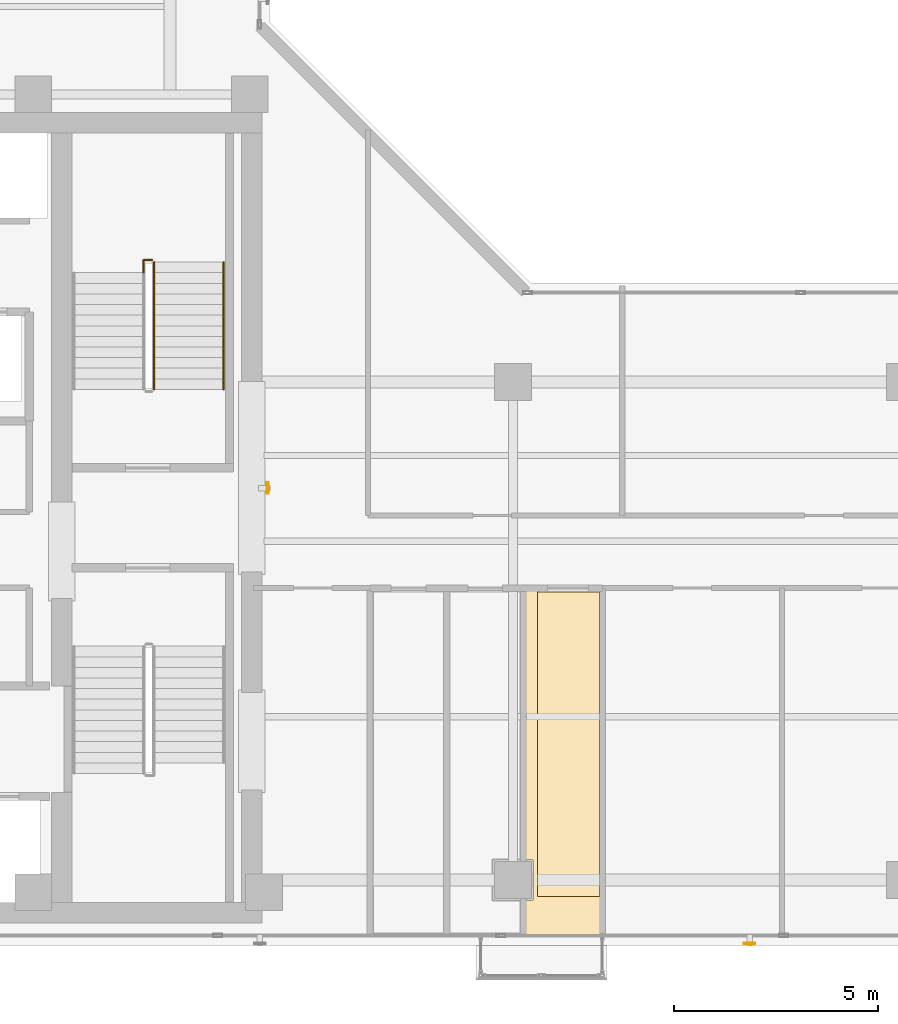
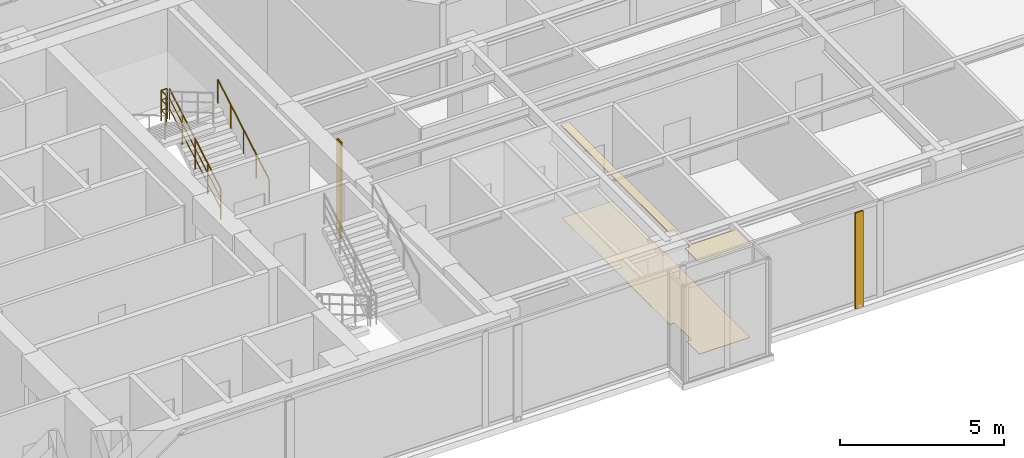
# One storey, part 21 of 22: 3 railings, 2 coverings, 2 shading devices.
"""IFC4 building model written with IfcOpenShell, lengths in metres."""

from ifc_helpers import new_model, si_unit, direction, frame, origin, origin_2d, place, context, subcontext, project, spatial, polyline, hollow_rectangle, circle, outline, extrude, material, layer, layer_set, material_profile, profile_set, type_object, element, save


model = new_model("IFC4")

# Units and contexts
model_context = context("Model", 3, precision=1e-05, world=origin(), true_north=direction((0.0, 1.0)))
body_context = subcontext(model_context, "Body", "Model", "MODEL_VIEW")
ifc_project = project(units=[si_unit("LENGTHUNIT", "METRE"), si_unit("AREAUNIT", "SQUARE_METRE"), si_unit("VOLUMEUNIT", "CUBIC_METRE"), si_unit("PLANEANGLEUNIT", "RADIAN"), si_unit("MASSUNIT", "GRAM", prefix="KILO")], contexts=[model_context])

# Site, building, storey
site_placement = place(None, origin())
site = spatial("IfcSite", under=ifc_project, at=site_placement, CompositionType="ELEMENT")
building_placement = place(site_placement, origin())
building = spatial("IfcBuilding", under=site, at=building_placement, Name="Kolvaren Waterfront Exchange", CompositionType="ELEMENT")
storey_placement = place(building_placement, frame((0.0, 0.0, 323.60009765625)))
storey = spatial("IfcBuildingStorey", under=building, at=storey_placement, Name="L83", CompositionType="ELEMENT", Elevation=323.60009765625)

# Covering
ifc_material_1 = material(Name="Mineral fibre acoustic ceiling tile")
ifc_layer_1 = layer(ifc_material_1, 0.02490234375, Name="Mineral fibre acoustic ceiling tile")
ifc_layer_set_1 = layer_set([ifc_layer_1], Name="Mineral fibre acoustic ceiling tile")
covering_type_1 = type_object("IfcCoveringType", Name="ARC-CEIL-ACOUSTIC-25", PredefinedType="CEILING", material=ifc_layer_set_1)
covering_1_placement = place(storey_placement, frame((0.0, 0.0, 3.44482421875)))
element("IfcCovering", 1, at=covering_1_placement, inside=storey, type_object=covering_type_1, Name="L83 acoustic suspended ceiling 3", PredefinedType="CEILING", context=body_context, shape_type="SweptSolid", body=[
    extrude(outline(polyline([(27.5048828125, 5.68994140625), (27.68994140625, 5.68994140625), (27.68994140625, 4.7099609375), (27.5048828125, 4.7099609375), (27.5048828125, 3.864990234375), (29.35498046875, 3.864990234375), (29.35498046875, 4.800048828125), (27.800048828125, 4.800048828125), (27.800048828125, 12.294921875), (27.5048828125, 12.294921875), (27.5048828125, 5.68994140625)])), origin(), (0.0, 0.0, 1.0), 0.025146484375),
])

# Shading devices
ifc_material_2 = material(Name="Anodised bronze aluminium 6063-T6", Category="aluminium")
ifc_material_profile = material_profile(ifc_material_2, hollow_rectangle(XDim=0.054931640625, YDim=0.280029296875, WallThickness=0.00439453125, at=origin_2d()), Name="BRZ-FIN-280x55x4.5")
ifc_profile_set = profile_set([ifc_material_profile], Name="Anodised bronze aluminium 6063-T6")
shading_device_type = type_object("IfcShadingDeviceType", Name="ARC-FIN-280", PredefinedType="USERDEFINED", material=ifc_profile_set)
for number, where, z_axis, x_axis, name in (
    (2, (33.0, 3.639892578125, 0.0), (0.0, 0.0, 1.0), (0.0, -1.0, 0.0), "L83 anodised bronze solar shading fin FIN-L83-S3"),
    (3, (21.191650390625, 14.800048828125, 0.0), (0.0, 0.0, 1.0), (1.0, 0.0, 0.0), "L83 anodised bronze solar shading fin FIN-L83-E1"),
):
    element("IfcShadingDevice", number, at=place(storey_placement, frame(where, z_axis=z_axis, x_axis=x_axis)), inside=storey, type_object=shading_device_type, Name=name, ObjectType="SOLAR FIN", PredefinedType="USERDEFINED", context=body_context, shape_type="SweptSolid", body=[
        extrude(hollow_rectangle(XDim=0.054931640625, YDim=0.280029296875, WallThickness=0.00439453125, at=origin_2d()), origin(), (0.0, 0.0, 1.0), 3.559814453125),
    ])

# Covering
ifc_material_3 = material(Name="Slip-resistant porcelain tile")
ifc_layer_2 = layer(ifc_material_3, 0.014892578125, Name="Slip-resistant porcelain tile")
ifc_layer_set_2 = layer_set([ifc_layer_2], Name="Slip-resistant porcelain tile")
covering_type_2 = type_object("IfcCoveringType", Name="ARC-FLR-PORC-15", PredefinedType="FLOORING", material=ifc_layer_set_2)
covering_2_placement = place(storey_placement, origin())
element("IfcCovering", 4, at=covering_2_placement, inside=storey, type_object=covering_type_2, Name="L83 floor finish 3", PredefinedType="FLOORING", context=body_context, shape_type="SweptSolid", body=[
    extrude(outline(polyline([(27.5400390625, 4.68994140625), (27.5400390625, 3.89990234375), (29.320068359375, 3.89990234375), (29.320068359375, 12.260009765625), (27.5400390625, 12.260009765625), (27.5400390625, 5.7099609375), (27.7099609375, 5.7099609375), (27.7099609375, 4.68994140625), (27.5400390625, 4.68994140625)])), origin(), (0.0, 0.0, 1.0), 0.014892578125),
])

# Railings
ifc_material_4 = material(Name="Stainless steel 316", Category="steel")
railing_type_1 = type_object("IfcRailingType", Name="ARC-GUARD-STAIR", PredefinedType="GUARDRAIL", material=ifc_material_4)
railing_1_placement = place(storey_placement, frame((18.409912109375, 17.219970703125, 0.15185546875)))
element("IfcRailing", 5, at=railing_1_placement, inside=storey, type_object=railing_type_1, Name="L83 ST2 stair guard 1", PredefinedType="GUARDRAIL", context=body_context, shape_type="SweptSolid", body=[
    extrude(circle(Radius=0.02392578125, at=origin_2d()), frame((0.0, 0.0, 1.1259765625), z_axis=(0.0, 0.86330811405, 0.504677223793), x_axis=(-1.0, 0.0, 0.0)), (0.0, 0.0, 1.0), 3.6142578125),
    extrude(circle(Radius=0.01611328125, at=origin_2d()), frame((0.0, 0.0, 0.390869140625), z_axis=(0.0, 0.86330811405, 0.504677223793), x_axis=(-1.0, 0.0, 0.0)), (0.0, 0.0, 1.0), 3.6142578125),
    extrude(circle(Radius=0.01611328125, at=origin_2d()), frame((0.0, 0.0, 0.7705078125), z_axis=(0.0, 0.86330811405, 0.504677223793), x_axis=(-1.0, 0.0, 0.0)), (0.0, 0.0, 1.0), 3.6142578125),
    extrude(circle(Radius=0.02099609375, at=origin_2d()), origin(), (0.0, 0.0, 1.0), 1.101806640625),
    extrude(circle(Radius=0.02099609375, at=origin_2d()), frame((0.0, 0.780029296875, 0.4560546875)), (0.0, 0.0, 1.0), 1.101806640625),
    extrude(circle(Radius=0.02099609375, at=origin_2d()), frame((0.0, 1.56005859375, 0.912109375)), (0.0, 0.0, 1.0), 1.101806640625),
    extrude(circle(Radius=0.02099609375, at=origin_2d()), frame((0.0, 2.340087890625, 1.367919921875)), (0.0, 0.0, 1.0), 1.101806640625),
    extrude(circle(Radius=0.02099609375, at=origin_2d()), frame((0.0, 3.1201171875, 1.823974609375)), (0.0, 0.0, 1.0), 1.101806640625),
])
railing_2_placement = place(storey_placement, frame((18.360107421875, 20.389892578125, 1.975830078125)))
element("IfcRailing", 6, at=railing_2_placement, inside=storey, type_object=railing_type_1, Name="L83 ST2 stair guard 2", PredefinedType="GUARDRAIL", context=body_context, shape_type="SweptSolid", body=[
    extrude(circle(Radius=0.02392578125, at=origin_2d()), frame((0.0, 0.0, 1.1259765625), z_axis=(-1.0, 0.0, 0.0), x_axis=(0.0, -1.0, 0.0)), (0.0, 0.0, 1.0), 0.210205078125),
    extrude(circle(Radius=0.01611328125, at=origin_2d()), frame((0.0, 0.0, 0.390869140625), z_axis=(-1.0, 0.0, 0.0), x_axis=(0.0, -1.0, 0.0)), (0.0, 0.0, 1.0), 0.210205078125),
    extrude(circle(Radius=0.01611328125, at=origin_2d()), frame((0.0, 0.0, 0.7705078125), z_axis=(-1.0, 0.0, 0.0), x_axis=(0.0, -1.0, 0.0)), (0.0, 0.0, 1.0), 0.210205078125),
    extrude(circle(Radius=0.02392578125, at=origin_2d()), frame((-0.210205078125, 0.0, 1.1259765625), z_axis=(0.0, -1.0, 0.0), x_axis=(1.0, 0.0, 0.0)), (0.0, 0.0, 1.0), 0.309814453125),
    extrude(circle(Radius=0.01611328125, at=origin_2d()), frame((-0.210205078125, 0.0, 0.390869140625), z_axis=(0.0, -1.0, 0.0), x_axis=(1.0, 0.0, 0.0)), (0.0, 0.0, 1.0), 0.309814453125),
    extrude(circle(Radius=0.01611328125, at=origin_2d()), frame((-0.210205078125, 0.0, 0.7705078125), z_axis=(0.0, -1.0, 0.0), x_axis=(1.0, 0.0, 0.0)), (0.0, 0.0, 1.0), 0.309814453125),
    extrude(circle(Radius=0.02099609375, at=origin_2d()), origin(), (0.0, 0.0, 1.0), 1.101806640625),
    extrude(circle(Radius=0.02099609375, at=origin_2d()), frame((-0.210205078125, 0.0, 0.0)), (0.0, 0.0, 1.0), 1.101806640625),
    extrude(circle(Radius=0.02099609375, at=origin_2d()), frame((-0.210205078125, -0.309814453125, 0.0)), (0.0, 0.0, 1.0), 1.101806640625),
])
railing_type_2 = type_object("IfcRailingType", Name="ARC-HANDRAIL-900", PredefinedType="HANDRAIL", material=ifc_material_4)
railing_3_placement = place(storey_placement, frame((20.110107421875, 17.219970703125, 0.15185546875)))
element("IfcRailing", 7, at=railing_3_placement, inside=storey, type_object=railing_type_2, Name="L83 ST2 stair handrail 1", PredefinedType="HANDRAIL", context=body_context, shape_type="SweptSolid", body=[
    extrude(circle(Radius=0.02392578125, at=origin_2d()), frame((0.0, 0.0, 0.8759765625), z_axis=(0.0, 0.86330811405, 0.504677223793), x_axis=(-1.0, 0.0, 0.0)), (0.0, 0.0, 1.0), 3.6142578125),
    extrude(circle(Radius=0.02099609375, at=origin_2d()), origin(), (0.0, 0.0, 1.0), 0.851806640625),
    extrude(circle(Radius=0.02099609375, at=origin_2d()), frame((0.0, 0.780029296875, 0.4560546875)), (0.0, 0.0, 1.0), 0.851806640625),
    extrude(circle(Radius=0.02099609375, at=origin_2d()), frame((0.0, 1.56005859375, 0.912109375)), (0.0, 0.0, 1.0), 0.851806640625),
    extrude(circle(Radius=0.02099609375, at=origin_2d()), frame((0.0, 2.340087890625, 1.367919921875)), (0.0, 0.0, 1.0), 0.851806640625),
    extrude(circle(Radius=0.02099609375, at=origin_2d()), frame((0.0, 3.1201171875, 1.823974609375)), (0.0, 0.0, 1.0), 0.851806640625),
])

save(model, "model.ifc")
